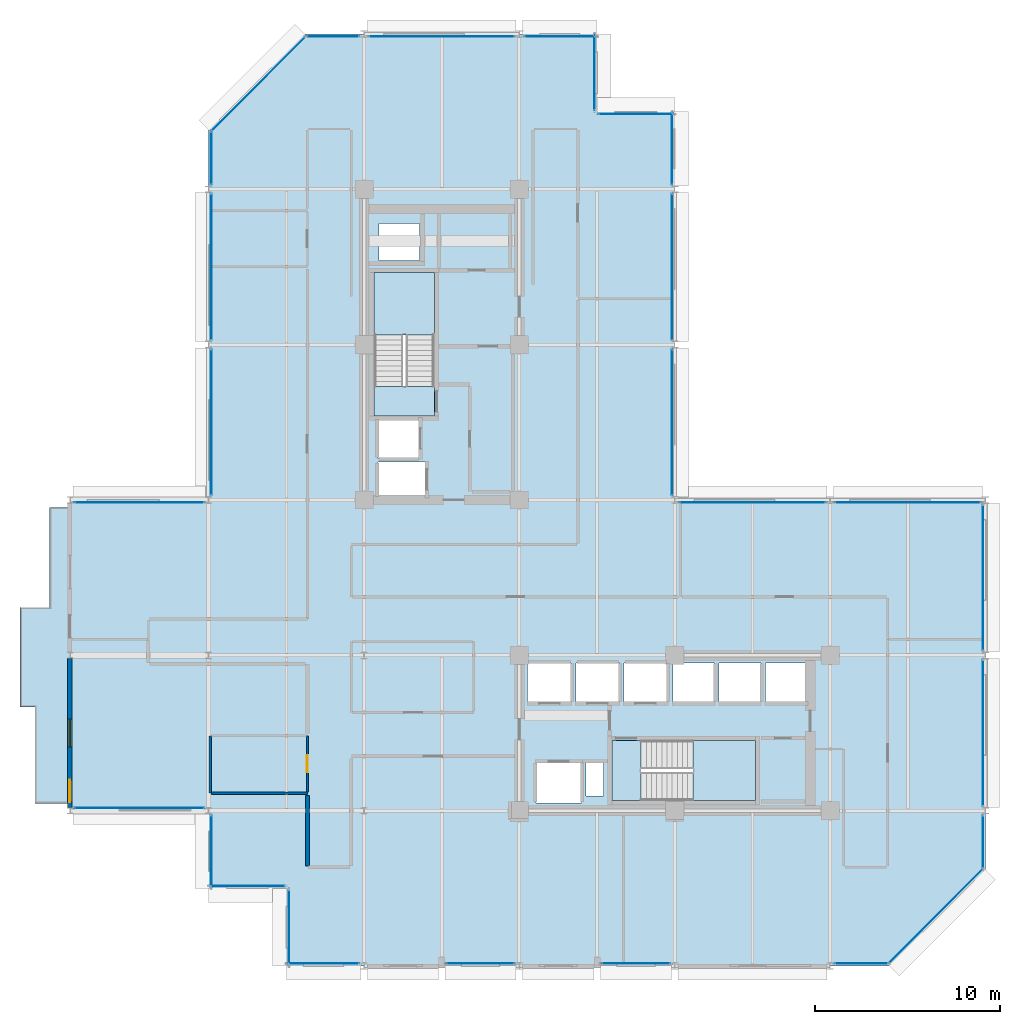
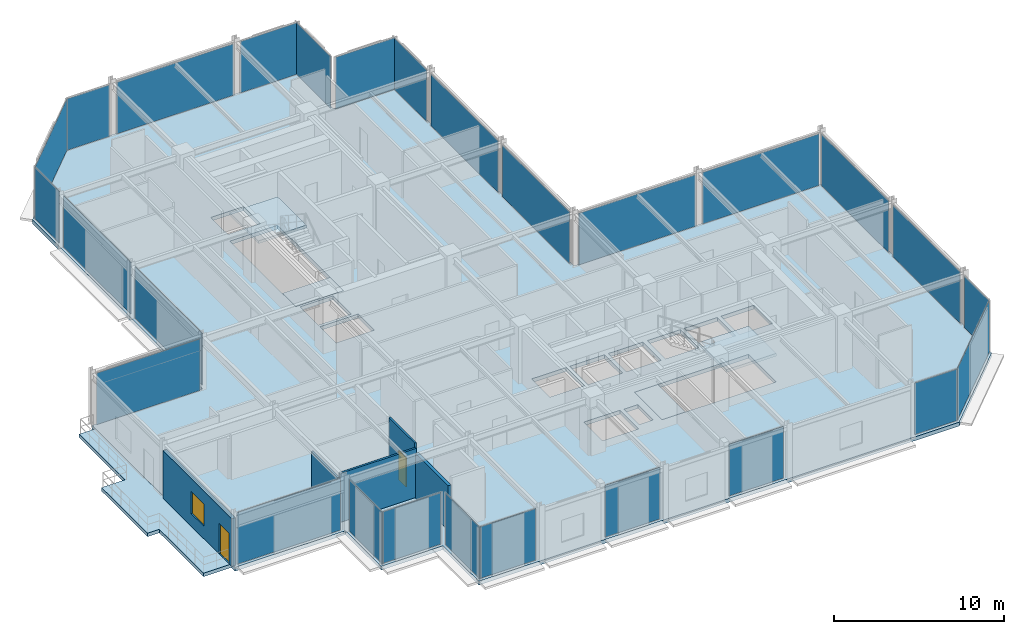
# One storey, part 23 of 29: 27 plates, 6 slabs, 5 walls, 2 doors, 1 window, 3 openings, 29 elements without a shape of their own.
"""IFC4 building model written with IfcOpenShell, lengths in metres."""

from ifc_helpers import new_model, si_unit, direction, frame, frame_2d, origin, origin_2d, place, context, subcontext, project, spatial, polyline, rectangle, outline, extrude, material, layer, layer_set, type_object, element, fill, aggregate, save


model = new_model("IFC4")

# Units and contexts
model_context = context("Model", 3, precision=1e-05, world=origin(), true_north=direction((0.0, 1.0)))
body_context = subcontext(model_context, "Body", "Model", "MODEL_VIEW")
ifc_project = project(units=[si_unit("LENGTHUNIT", "METRE"), si_unit("AREAUNIT", "SQUARE_METRE"), si_unit("VOLUMEUNIT", "CUBIC_METRE"), si_unit("PLANEANGLEUNIT", "RADIAN"), si_unit("MASSUNIT", "GRAM", prefix="KILO")], contexts=[model_context])

# Site, building, storey
site_placement = place(None, origin())
site = spatial("IfcSite", under=ifc_project, at=site_placement, CompositionType="ELEMENT")
building_placement = place(site_placement, origin())
building = spatial("IfcBuilding", under=site, at=building_placement, Name="Nerrivon Quay Data Exchange", CompositionType="ELEMENT")
storey_placement = place(building_placement, frame((0.0, 0.0, 204.199951171875)))
storey = spatial("IfcBuildingStorey", under=building, at=storey_placement, Name="L48", CompositionType="ELEMENT", Elevation=204.199951171875)

# Curtain wall, plate
ifc_material_1 = material(Name="Anodised aluminium 6063-T6", Category="aluminium")
ifc_layer_1 = layer(ifc_material_1, 0.199951171875)
ifc_layer_set_1 = layer_set([ifc_layer_1], Name="Anodised aluminium 6063-T6")
curtain_wall_type_1 = type_object("IfcCurtainWallType", Name="CW-SYS-04", PredefinedType="NOTDEFINED", material=ifc_layer_set_1)
curtain_wall_1_placement = place(storey_placement, origin())
curtain_wall_1 = element("IfcCurtainWall", 1, at=curtain_wall_1_placement, inside=storey, type_object=curtain_wall_type_1, Name="L48 Unitised Curtain Wall 3", PredefinedType="NOTDEFINED")
ifc_material_2 = material(Name="Double-glazed low-E solar control glass", Category="glass")
ifc_layer_2 = layer(ifc_material_2, 0.028076171875)
ifc_layer_set_2 = layer_set([ifc_layer_2], Name="Double-glazed low-E solar control glass")
plate_type = type_object("IfcPlateType", Name="CWP-GLZ-28", PredefinedType="CURTAIN_PANEL", material=ifc_layer_set_2)
plate_1_placement = place(storey_placement, frame((-3.759765625, 25.06005859375, 0.06494140625), z_axis=(0.0, 0.0, 1.0), x_axis=(1.0, 0.0, 0.0)))
plate_1 = element("IfcPlate", 2, at=plate_1_placement, type_object=plate_type, Name="CW04 panel 1.1", PredefinedType="CURTAIN_PANEL", context=body_context, shape_type="SweptSolid", body=[
    extrude(rectangle(XDim=7.01953125, YDim=0.028076171875, at=origin_2d()), origin(), (0.0, 0.0, 1.0), 3.695068359375),
])
aggregate(curtain_wall_1, [plate_1])

ifc_layer_3 = layer(ifc_material_1, 0.195068359375)
ifc_layer_set_3 = layer_set([ifc_layer_3], Name="Anodised aluminium 6063-T6")
curtain_wall_type_2 = type_object("IfcCurtainWallType", Name="CW-SYS-06", PredefinedType="NOTDEFINED", material=ifc_layer_set_3)
curtain_wall_2_placement = place(storey_placement, origin())
curtain_wall_2 = element("IfcCurtainWall", 3, at=curtain_wall_2_placement, inside=storey, type_object=curtain_wall_type_2, Name="L48 Unitised Curtain Wall 4", PredefinedType="NOTDEFINED")
plate_2_placement = place(storey_placement, frame((0.139892578125, 29.39990234375, 0.06494140625), z_axis=(0.0, 0.0, 1.0), x_axis=(0.0, 1.0, 0.0)))
plate_2 = element("IfcPlate", 4, at=plate_2_placement, type_object=plate_type, Name="CW06 panel 1.1", PredefinedType="CURTAIN_PANEL", context=body_context, shape_type="SweptSolid", body=[
    extrude(rectangle(XDim=7.89990234375, YDim=0.028076171875, at=origin_2d()), origin(), (0.0, 0.0, 1.0), 3.695068359375),
])
aggregate(curtain_wall_2, [plate_2])

curtain_wall_3_placement = place(storey_placement, origin())
curtain_wall_3 = element("IfcCurtainWall", 5, at=curtain_wall_3_placement, inside=storey, type_object=curtain_wall_type_2, Name="L48 Unitised Curtain Wall 5", PredefinedType="NOTDEFINED")
plate_3_placement = place(storey_placement, frame((0.139892578125, 37.800048828125, 0.06494140625), z_axis=(0.0, 0.0, 1.0), x_axis=(0.0, 1.0, 0.0)))
plate_3 = element("IfcPlate", 6, at=plate_3_placement, type_object=plate_type, Name="CW06 panel 1.1", PredefinedType="CURTAIN_PANEL", context=body_context, shape_type="SweptSolid", body=[
    extrude(rectangle(XDim=7.89990234375, YDim=0.028076171875, at=origin_2d()), origin(), (0.0, 0.0, 1.0), 3.695068359375),
])
aggregate(curtain_wall_3, [plate_3])

curtain_wall_4_placement = place(storey_placement, origin())
curtain_wall_4 = element("IfcCurtainWall", 7, at=curtain_wall_4_placement, inside=storey, type_object=curtain_wall_type_2, Name="L48 Unitised Curtain Wall 6", PredefinedType="NOTDEFINED")
plate_4_placement = place(storey_placement, frame((0.139892578125, 43.6875, 0.06494140625), z_axis=(0.0, 0.0, 1.0), x_axis=(0.0, 1.0, 0.0)))
plate_4 = element("IfcPlate", 8, at=plate_4_placement, type_object=plate_type, Name="CW06 panel 1.1", PredefinedType="CURTAIN_PANEL", context=body_context, shape_type="SweptSolid", body=[
    extrude(rectangle(XDim=2.875, YDim=0.028076171875, at=origin_2d()), origin(), (0.0, 0.0, 1.0), 3.695068359375),
])
aggregate(curtain_wall_4, [plate_4])

curtain_wall_5_placement = place(storey_placement, origin())
curtain_wall_5 = element("IfcCurtainWall", 9, at=curtain_wall_5_placement, inside=storey, type_object=curtain_wall_type_2, Name="L48 Unitised Curtain Wall 7", PredefinedType="NOTDEFINED")
plate_5_placement = place(storey_placement, frame((2.698974609375, 47.700927734375, 0.06494140625), z_axis=(0.0, 0.0, 1.0), x_axis=(0.707106781187, 0.707106781187, 0.0)))
plate_5 = element("IfcPlate", 10, at=plate_5_placement, type_object=plate_type, Name="CW06 panel 1.1", PredefinedType="CURTAIN_PANEL", context=body_context, shape_type="SweptSolid", body=[
    extrude(rectangle(XDim=7.203857421875, YDim=0.028076171875, at=origin_2d()), origin(), (0.0, 0.0, 1.0), 3.695068359375),
])
aggregate(curtain_wall_5, [plate_5])

curtain_wall_6_placement = place(storey_placement, origin())
curtain_wall_6 = element("IfcCurtainWall", 11, at=curtain_wall_6_placement, inside=storey, type_object=curtain_wall_type_2, Name="L48 Unitised Curtain Wall 8", PredefinedType="NOTDEFINED")
plate_6_placement = place(storey_placement, frame((6.71240234375, 50.260009765625, 0.06494140625), z_axis=(0.0, 0.0, 1.0), x_axis=(1.0, 0.0, 0.0)))
plate_6 = element("IfcPlate", 12, at=plate_6_placement, type_object=plate_type, Name="CW06 panel 1.1", PredefinedType="CURTAIN_PANEL", context=body_context, shape_type="SweptSolid", body=[
    extrude(rectangle(XDim=2.875, YDim=0.028076171875, at=origin_2d()), origin(), (0.0, 0.0, 1.0), 3.695068359375),
])
aggregate(curtain_wall_6, [plate_6])

curtain_wall_7_placement = place(storey_placement, origin())
curtain_wall_7 = element("IfcCurtainWall", 13, at=curtain_wall_7_placement, inside=storey, type_object=curtain_wall_type_2, Name="L48 Unitised Curtain Wall 9", PredefinedType="NOTDEFINED")
plate_7_placement = place(storey_placement, frame((12.60009765625, 50.260009765625, 0.06494140625), z_axis=(0.0, 0.0, 1.0), x_axis=(1.0, 0.0, 0.0)))
plate_7 = element("IfcPlate", 14, at=plate_7_placement, type_object=plate_type, Name="CW06 panel 1.1", PredefinedType="CURTAIN_PANEL", context=body_context, shape_type="SweptSolid", body=[
    extrude(rectangle(XDim=7.89990234375, YDim=0.028076171875, at=origin_2d()), origin(), (0.0, 0.0, 1.0), 3.695068359375),
])
aggregate(curtain_wall_7, [plate_7])

curtain_wall_8_placement = place(storey_placement, origin())
curtain_wall_8 = element("IfcCurtainWall", 15, at=curtain_wall_8_placement, inside=storey, type_object=curtain_wall_type_2, Name="L48 Unitised Curtain Wall 10", PredefinedType="NOTDEFINED")
plate_8_placement = place(storey_placement, frame((18.987548828125, 50.260009765625, 0.06494140625), z_axis=(0.0, 0.0, 1.0), x_axis=(1.0, 0.0, 0.0)))
plate_8 = element("IfcPlate", 16, at=plate_8_placement, type_object=plate_type, Name="CW06 panel 1.1", PredefinedType="CURTAIN_PANEL", context=body_context, shape_type="SweptSolid", body=[
    extrude(rectangle(XDim=3.875, YDim=0.028076171875, at=origin_2d()), origin(), (0.0, 0.0, 1.0), 3.695068359375),
])
aggregate(curtain_wall_8, [plate_8])

curtain_wall_9_placement = place(storey_placement, origin())
curtain_wall_9 = element("IfcCurtainWall", 17, at=curtain_wall_9_placement, inside=storey, type_object=curtain_wall_type_2, Name="L48 Unitised Curtain Wall 11", PredefinedType="NOTDEFINED")
plate_9_placement = place(storey_placement, frame((20.860107421875, 48.300048828125, 0.06494140625), z_axis=(0.0, 0.0, 1.0), x_axis=(0.0, -1.0, 0.0)))
plate_9 = element("IfcPlate", 18, at=plate_9_placement, type_object=plate_type, Name="CW06 panel 1.1", PredefinedType="CURTAIN_PANEL", context=body_context, shape_type="SweptSolid", body=[
    extrude(rectangle(XDim=4.050048828125, YDim=0.028076171875, at=origin_2d()), origin(), (0.0, 0.0, 1.0), 3.695068359375),
])
aggregate(curtain_wall_9, [plate_9])

curtain_wall_10_placement = place(storey_placement, origin())
curtain_wall_10 = element("IfcCurtainWall", 19, at=curtain_wall_10_placement, inside=storey, type_object=curtain_wall_type_2, Name="L48 Unitised Curtain Wall 12", PredefinedType="NOTDEFINED")
plate_10_placement = place(storey_placement, frame((23.10009765625, 46.06005859375, 0.06494140625), z_axis=(0.0, 0.0, 1.0), x_axis=(1.0, 0.0, 0.0)))
plate_10 = element("IfcPlate", 20, at=plate_10_placement, type_object=plate_type, Name="CW06 panel 1.1", PredefinedType="CURTAIN_PANEL", context=body_context, shape_type="SweptSolid", body=[
    extrude(rectangle(XDim=4.050048828125, YDim=0.028076171875, at=origin_2d()), origin(), (0.0, 0.0, 1.0), 3.695068359375),
])
aggregate(curtain_wall_10, [plate_10])

curtain_wall_11_placement = place(storey_placement, origin())
curtain_wall_11 = element("IfcCurtainWall", 21, at=curtain_wall_11_placement, inside=storey, type_object=curtain_wall_type_2, Name="L48 Unitised Curtain Wall 13", PredefinedType="NOTDEFINED")
plate_11_placement = place(storey_placement, frame((25.06005859375, 44.1875, 0.06494140625), z_axis=(0.0, 0.0, 1.0), x_axis=(0.0, -1.0, 0.0)))
plate_11 = element("IfcPlate", 22, at=plate_11_placement, type_object=plate_type, Name="CW06 panel 1.1", PredefinedType="CURTAIN_PANEL", context=body_context, shape_type="SweptSolid", body=[
    extrude(rectangle(XDim=3.875, YDim=0.028076171875, at=origin_2d()), origin(), (0.0, 0.0, 1.0), 3.695068359375),
])
aggregate(curtain_wall_11, [plate_11])

curtain_wall_12_placement = place(storey_placement, origin())
curtain_wall_12 = element("IfcCurtainWall", 23, at=curtain_wall_12_placement, inside=storey, type_object=curtain_wall_type_2, Name="L48 Unitised Curtain Wall 14", PredefinedType="NOTDEFINED")
plate_12_placement = place(storey_placement, frame((25.06005859375, 37.800048828125, 0.06494140625), z_axis=(0.0, 0.0, 1.0), x_axis=(0.0, -1.0, 0.0)))
plate_12 = element("IfcPlate", 24, at=plate_12_placement, type_object=plate_type, Name="CW06 panel 1.1", PredefinedType="CURTAIN_PANEL", context=body_context, shape_type="SweptSolid", body=[
    extrude(rectangle(XDim=7.89990234375, YDim=0.028076171875, at=origin_2d()), origin(), (0.0, 0.0, 1.0), 3.695068359375),
])
aggregate(curtain_wall_12, [plate_12])

curtain_wall_13_placement = place(storey_placement, origin())
curtain_wall_13 = element("IfcCurtainWall", 25, at=curtain_wall_13_placement, inside=storey, type_object=curtain_wall_type_2, Name="L48 Unitised Curtain Wall 15", PredefinedType="NOTDEFINED")
plate_13_placement = place(storey_placement, frame((25.06005859375, 29.39990234375, 0.06494140625), z_axis=(0.0, 0.0, 1.0), x_axis=(0.0, -1.0, 0.0)))
plate_13 = element("IfcPlate", 26, at=plate_13_placement, type_object=plate_type, Name="CW06 panel 1.1", PredefinedType="CURTAIN_PANEL", context=body_context, shape_type="SweptSolid", body=[
    extrude(rectangle(XDim=7.89990234375, YDim=0.028076171875, at=origin_2d()), origin(), (0.0, 0.0, 1.0), 3.695068359375),
])
aggregate(curtain_wall_13, [plate_13])

curtain_wall_14_placement = place(storey_placement, origin())
curtain_wall_14 = element("IfcCurtainWall", 27, at=curtain_wall_14_placement, inside=storey, type_object=curtain_wall_type_2, Name="L48 Unitised Curtain Wall 16", PredefinedType="NOTDEFINED")
plate_14_placement = place(storey_placement, frame((29.39990234375, 25.06005859375, 0.06494140625), z_axis=(0.0, 0.0, 1.0), x_axis=(1.0, 0.0, 0.0)))
plate_14 = element("IfcPlate", 28, at=plate_14_placement, type_object=plate_type, Name="CW06 panel 1.1", PredefinedType="CURTAIN_PANEL", context=body_context, shape_type="SweptSolid", body=[
    extrude(rectangle(XDim=7.89990234375, YDim=0.028076171875, at=origin_2d()), origin(), (0.0, 0.0, 1.0), 3.695068359375),
])
aggregate(curtain_wall_14, [plate_14])

curtain_wall_15_placement = place(storey_placement, origin())
curtain_wall_15 = element("IfcCurtainWall", 29, at=curtain_wall_15_placement, inside=storey, type_object=curtain_wall_type_2, Name="L48 Unitised Curtain Wall 17", PredefinedType="NOTDEFINED")
plate_15_placement = place(storey_placement, frame((37.800048828125, 25.06005859375, 0.06494140625), z_axis=(0.0, 0.0, 1.0), x_axis=(1.0, 0.0, 0.0)))
plate_15 = element("IfcPlate", 30, at=plate_15_placement, type_object=plate_type, Name="CW06 panel 1.1", PredefinedType="CURTAIN_PANEL", context=body_context, shape_type="SweptSolid", body=[
    extrude(rectangle(XDim=7.89990234375, YDim=0.028076171875, at=origin_2d()), origin(), (0.0, 0.0, 1.0), 3.695068359375),
])
aggregate(curtain_wall_15, [plate_15])

curtain_wall_16_placement = place(storey_placement, origin())
curtain_wall_16 = element("IfcCurtainWall", 31, at=curtain_wall_16_placement, inside=storey, type_object=curtain_wall_type_2, Name="L48 Unitised Curtain Wall 18", PredefinedType="NOTDEFINED")
plate_16_placement = place(storey_placement, frame((41.860107421875, 21.0, 0.06494140625), z_axis=(0.0, 0.0, 1.0), x_axis=(0.0, -1.0, 0.0)))
plate_16 = element("IfcPlate", 32, at=plate_16_placement, type_object=plate_type, Name="CW06 panel 1.1", PredefinedType="CURTAIN_PANEL", context=body_context, shape_type="SweptSolid", body=[
    extrude(rectangle(XDim=7.89990234375, YDim=0.028076171875, at=origin_2d()), origin(), (0.0, 0.0, 1.0), 3.695068359375),
])
aggregate(curtain_wall_16, [plate_16])

curtain_wall_17_placement = place(storey_placement, origin())
curtain_wall_17 = element("IfcCurtainWall", 33, at=curtain_wall_17_placement, inside=storey, type_object=curtain_wall_type_2, Name="L48 Unitised Curtain Wall 19", PredefinedType="NOTDEFINED")
plate_17_placement = place(storey_placement, frame((41.860107421875, 12.60009765625, 0.06494140625), z_axis=(0.0, 0.0, 1.0), x_axis=(0.0, -1.0, 0.0)))
plate_17 = element("IfcPlate", 34, at=plate_17_placement, type_object=plate_type, Name="CW06 panel 1.1", PredefinedType="CURTAIN_PANEL", context=body_context, shape_type="SweptSolid", body=[
    extrude(rectangle(XDim=7.89990234375, YDim=0.028076171875, at=origin_2d()), origin(), (0.0, 0.0, 1.0), 3.695068359375),
])
aggregate(curtain_wall_17, [plate_17])

curtain_wall_18_placement = place(storey_placement, origin())
curtain_wall_18 = element("IfcCurtainWall", 35, at=curtain_wall_18_placement, inside=storey, type_object=curtain_wall_type_2, Name="L48 Unitised Curtain Wall 20", PredefinedType="NOTDEFINED")
plate_18_placement = place(storey_placement, frame((41.860107421875, 6.71240234375, 0.06494140625), z_axis=(0.0, 0.0, 1.0), x_axis=(0.0, -1.0, 0.0)))
plate_18 = element("IfcPlate", 36, at=plate_18_placement, type_object=plate_type, Name="CW06 panel 1.1", PredefinedType="CURTAIN_PANEL", context=body_context, shape_type="SweptSolid", body=[
    extrude(rectangle(XDim=2.875, YDim=0.028076171875, at=origin_2d()), origin(), (0.0, 0.0, 1.0), 3.695068359375),
])
aggregate(curtain_wall_18, [plate_18])

curtain_wall_19_placement = place(storey_placement, origin())
curtain_wall_19 = element("IfcCurtainWall", 37, at=curtain_wall_19_placement, inside=storey, type_object=curtain_wall_type_2, Name="L48 Unitised Curtain Wall 21", PredefinedType="NOTDEFINED")
plate_19_placement = place(storey_placement, frame((39.301025390625, 2.698974609375, 0.06494140625), z_axis=(0.0, 0.0, 1.0), x_axis=(-0.707106781187, -0.707106781187, 0.0)))
plate_19 = element("IfcPlate", 38, at=plate_19_placement, type_object=plate_type, Name="CW06 panel 1.1", PredefinedType="CURTAIN_PANEL", context=body_context, shape_type="SweptSolid", body=[
    extrude(rectangle(XDim=7.203857421875, YDim=0.028076171875, at=origin_2d()), origin(), (0.0, 0.0, 1.0), 3.695068359375),
])
aggregate(curtain_wall_19, [plate_19])

curtain_wall_20_placement = place(storey_placement, origin())
curtain_wall_20 = element("IfcCurtainWall", 39, at=curtain_wall_20_placement, inside=storey, type_object=curtain_wall_type_2, Name="L48 Unitised Curtain Wall 22", PredefinedType="NOTDEFINED")
plate_20_placement = place(storey_placement, frame((35.28759765625, 0.139892578125, 0.06494140625), z_axis=(0.0, 0.0, 1.0), x_axis=(-1.0, 0.0, 0.0)))
plate_20 = element("IfcPlate", 40, at=plate_20_placement, type_object=plate_type, Name="CW06 panel 1.1", PredefinedType="CURTAIN_PANEL", context=body_context, shape_type="SweptSolid", body=[
    extrude(rectangle(XDim=2.875, YDim=0.028076171875, at=origin_2d()), origin(), (0.0, 0.0, 1.0), 3.695068359375),
])
aggregate(curtain_wall_20, [plate_20])

curtain_wall_21_placement = place(storey_placement, origin())
curtain_wall_21 = element("IfcCurtainWall", 41, at=curtain_wall_21_placement, inside=storey, type_object=curtain_wall_type_2, Name="L48 Unitised Curtain Wall 24", PredefinedType="NOTDEFINED")
plate_21_placement = place(storey_placement, frame((23.10009765625, 0.139892578125, 0.06494140625), z_axis=(0.0, 0.0, 1.0), x_axis=(-1.0, 0.0, 0.0)))
plate_21 = element("IfcPlate", 42, at=plate_21_placement, type_object=plate_type, Name="CW06 panel 1.1", PredefinedType="CURTAIN_PANEL", context=body_context, shape_type="SweptSolid", body=[
    extrude(rectangle(XDim=3.699951171875, YDim=0.028076171875, at=origin_2d()), origin(), (0.0, 0.0, 1.0), 3.695068359375),
])
aggregate(curtain_wall_21, [plate_21])

curtain_wall_22_placement = place(storey_placement, origin())
curtain_wall_22 = element("IfcCurtainWall", 43, at=curtain_wall_22_placement, inside=storey, type_object=curtain_wall_type_2, Name="L48 Unitised Curtain Wall 26", PredefinedType="NOTDEFINED")
plate_22_placement = place(storey_placement, frame((14.699951171875, 0.139892578125, 0.06494140625), z_axis=(0.0, 0.0, 1.0), x_axis=(-1.0, 0.0, 0.0)))
plate_22 = element("IfcPlate", 44, at=plate_22_placement, type_object=plate_type, Name="CW06 panel 1.1", PredefinedType="CURTAIN_PANEL", context=body_context, shape_type="SweptSolid", body=[
    extrude(rectangle(XDim=3.699951171875, YDim=0.028076171875, at=origin_2d()), origin(), (0.0, 0.0, 1.0), 3.695068359375),
])
aggregate(curtain_wall_22, [plate_22])

curtain_wall_23_placement = place(storey_placement, origin())
curtain_wall_23 = element("IfcCurtainWall", 45, at=curtain_wall_23_placement, inside=storey, type_object=curtain_wall_type_2, Name="L48 Unitised Curtain Wall 28", PredefinedType="NOTDEFINED")
plate_23_placement = place(storey_placement, frame((6.21240234375, 0.139892578125, 0.06494140625), z_axis=(0.0, 0.0, 1.0), x_axis=(-1.0, 0.0, 0.0)))
plate_23 = element("IfcPlate", 46, at=plate_23_placement, type_object=plate_type, Name="CW06 panel 1.1", PredefinedType="CURTAIN_PANEL", context=body_context, shape_type="SweptSolid", body=[
    extrude(rectangle(XDim=3.875, YDim=0.028076171875, at=origin_2d()), origin(), (0.0, 0.0, 1.0), 3.695068359375),
])
aggregate(curtain_wall_23, [plate_23])

curtain_wall_24_placement = place(storey_placement, origin())
curtain_wall_24 = element("IfcCurtainWall", 47, at=curtain_wall_24_placement, inside=storey, type_object=curtain_wall_type_2, Name="L48 Unitised Curtain Wall 29", PredefinedType="NOTDEFINED")
plate_24_placement = place(storey_placement, frame((4.340087890625, 2.10009765625, 0.06494140625), z_axis=(0.0, 0.0, 1.0), x_axis=(0.0, 1.0, 0.0)))
plate_24 = element("IfcPlate", 48, at=plate_24_placement, type_object=plate_type, Name="CW06 panel 1.1", PredefinedType="CURTAIN_PANEL", context=body_context, shape_type="SweptSolid", body=[
    extrude(rectangle(XDim=4.050048828125, YDim=0.028076171875, at=origin_2d()), origin(), (0.0, 0.0, 1.0), 3.695068359375),
])
aggregate(curtain_wall_24, [plate_24])

curtain_wall_25_placement = place(storey_placement, origin())
curtain_wall_25 = element("IfcCurtainWall", 49, at=curtain_wall_25_placement, inside=storey, type_object=curtain_wall_type_2, Name="L48 Unitised Curtain Wall 30", PredefinedType="NOTDEFINED")
plate_25_placement = place(storey_placement, frame((2.10009765625, 4.340087890625, 0.06494140625), z_axis=(0.0, 0.0, 1.0), x_axis=(-1.0, 0.0, 0.0)))
plate_25 = element("IfcPlate", 50, at=plate_25_placement, type_object=plate_type, Name="CW06 panel 1.1", PredefinedType="CURTAIN_PANEL", context=body_context, shape_type="SweptSolid", body=[
    extrude(rectangle(XDim=4.050048828125, YDim=0.028076171875, at=origin_2d()), origin(), (0.0, 0.0, 1.0), 3.695068359375),
])
aggregate(curtain_wall_25, [plate_25])

curtain_wall_26_placement = place(storey_placement, origin())
curtain_wall_26 = element("IfcCurtainWall", 51, at=curtain_wall_26_placement, inside=storey, type_object=curtain_wall_type_2, Name="L48 Unitised Curtain Wall 31", PredefinedType="NOTDEFINED")
plate_26_placement = place(storey_placement, frame((0.139892578125, 6.21240234375, 0.06494140625), z_axis=(0.0, 0.0, 1.0), x_axis=(0.0, 1.0, 0.0)))
plate_26 = element("IfcPlate", 52, at=plate_26_placement, type_object=plate_type, Name="CW06 panel 1.1", PredefinedType="CURTAIN_PANEL", context=body_context, shape_type="SweptSolid", body=[
    extrude(rectangle(XDim=3.875, YDim=0.028076171875, at=origin_2d()), origin(), (0.0, 0.0, 1.0), 3.695068359375),
])
aggregate(curtain_wall_26, [plate_26])

curtain_wall_27_placement = place(storey_placement, origin())
curtain_wall_27 = element("IfcCurtainWall", 53, at=curtain_wall_27_placement, inside=storey, type_object=curtain_wall_type_1, Name="L48 Unitised Curtain Wall 32", PredefinedType="NOTDEFINED")
plate_27_placement = place(storey_placement, frame((-3.759765625, 8.5400390625, 0.06494140625), z_axis=(0.0, 0.0, 1.0), x_axis=(-1.0, 0.0, 0.0)))
plate_27 = element("IfcPlate", 54, at=plate_27_placement, type_object=plate_type, Name="CW04 panel 1.1", PredefinedType="CURTAIN_PANEL", context=body_context, shape_type="SweptSolid", body=[
    extrude(rectangle(XDim=7.01953125, YDim=0.028076171875, at=origin_2d()), origin(), (0.0, 0.0, 1.0), 3.695068359375),
])
aggregate(curtain_wall_27, [plate_27])

# Slab
ifc_material_3 = material(Name="Precast white architectural concrete N50 (50 MPa)", Category="concrete")
ifc_layer_4 = layer(ifc_material_3, 0.25)
ifc_layer_set_4 = layer_set([ifc_layer_4], Name="Precast white architectural concrete N50 (50 MPa)")
slab_type_1 = type_object("IfcSlabType", Name="SLB-BAL-250", PredefinedType="FLOOR", material=ifc_layer_set_4)
slab_1_placement = place(storey_placement, frame((0.0, 0.0, -0.25)))
element("IfcSlab", 55, at=slab_1_placement, inside=storey, type_object=slab_type_1, Name="L48 West Hooked Drifting Verandah", PredefinedType="FLOOR", context=body_context, shape_type="SweptSolid", body=[
    extrude(outline(polyline([(-7.5, 14.0), (-7.5, 19.39990234375), (-7.5, 24.800048828125), (-8.60009765625, 24.800048828125), (-8.60009765625, 19.39990234375), (-10.199951171875, 19.39990234375), (-10.199951171875, 14.0), (-9.39990234375, 14.0), (-9.39990234375, 8.800048828125), (-7.5, 8.800048828125), (-7.5, 14.0)])), origin(), (0.0, 0.0, 1.0), 0.25),
])

# Stair, slab
ifc_material_4 = material(Name="Concrete N50 (50 MPa)", Category="concrete")
stair_type = type_object("IfcStairType", Name="STAIR-DOG-41", PredefinedType="HALF_TURN_STAIR", material=ifc_material_4)
stair_1_placement = place(storey_placement, origin())
stair_1 = element("IfcStair", 56, at=stair_1_placement, inside=storey, type_object=stair_type, Name="L48 West Core Fire Stair ST01", PredefinedType="HALF_TURN_STAIR")
ifc_layer_5 = layer(ifc_material_4, 0.199951171875)
ifc_layer_set_5 = layer_set([ifc_layer_5], Name="Concrete N50 (50 MPa)")
slab_type_2 = type_object("IfcSlabType", Name="SLB-LAND-200", PredefinedType="LANDING", material=ifc_layer_set_5)
slab_2_placement = place(storey_placement, frame((0.0, 0.0, 1.85009765625)))
slab_2 = element("IfcSlab", 57, at=slab_2_placement, type_object=slab_type_2, Name="ST01 landing 1", PredefinedType="LANDING", context=body_context, shape_type="SweptSolid", body=[
    extrude(outline(polyline([(12.199951171875, 34.1298828125), (12.199951171875, 37.5), (8.949951171875, 37.5), (8.949951171875, 34.1298828125), (12.199951171875, 34.1298828125)])), origin(), (0.0, 0.0, 1.0), 0.199951171875),
])
aggregate(stair_1, [slab_2])

# Slab
slab_3_placement = place(storey_placement, frame((0.0, 0.0, -0.199951171875)))
element("IfcSlab", 58, at=slab_3_placement, inside=storey, type_object=slab_type_2, Name="L48 ST01 floor landing", PredefinedType="LANDING", context=body_context, shape_type="SweptSolid", body=[
    extrude(outline(polyline([(12.199951171875, 29.75), (12.199951171875, 31.330078125), (8.949951171875, 31.330078125), (8.949951171875, 29.75), (12.199951171875, 29.75)])), origin(), (0.0, 0.0, 1.0), 0.199951171875),
])

# Stair, slab
stair_2_placement = place(storey_placement, origin())
stair_2 = element("IfcStair", 59, at=stair_2_placement, inside=storey, type_object=stair_type, Name="L48 East Core Fire Stair ST02", PredefinedType="HALF_TURN_STAIR")
slab_4_placement = place(storey_placement, frame((0.0, 0.0, 1.85009765625)))
slab_4 = element("IfcSlab", 60, at=slab_4_placement, type_object=slab_type_2, Name="ST02 landing 1", PredefinedType="LANDING", context=body_context, shape_type="SweptSolid", body=[
    extrude(outline(polyline([(26.179931640625, 8.949951171875), (29.550048828125, 8.949951171875), (29.550048828125, 12.199951171875), (26.179931640625, 12.199951171875), (26.179931640625, 8.949951171875)])), origin(), (0.0, 0.0, 1.0), 0.199951171875),
])
aggregate(stair_2, [slab_4])

# Slabs
slab_5_placement = place(storey_placement, frame((0.0, 0.0, -0.199951171875)))
element("IfcSlab", 61, at=slab_5_placement, inside=storey, type_object=slab_type_2, Name="L48 ST02 floor landing", PredefinedType="LANDING", context=body_context, shape_type="SweptSolid", body=[
    extrude(outline(polyline([(21.800048828125, 8.949951171875), (23.3798828125, 8.949951171875), (23.3798828125, 12.199951171875), (21.800048828125, 12.199951171875), (21.800048828125, 8.949951171875)])), origin(), (0.0, 0.0, 1.0), 0.199951171875),
])
ifc_layer_6 = layer(ifc_material_4, 0.27490234375)
ifc_layer_set_6 = layer_set([ifc_layer_6], Name="Concrete N50 (50 MPa)")
slab_type_3 = type_object("IfcSlabType", Name="SLB-TOW-275", PredefinedType="FLOOR", material=ifc_layer_set_6)
slab_6_placement = place(storey_placement, frame((0.0, 0.0, -0.27490234375)))
element("IfcSlab", 62, at=slab_6_placement, inside=storey, type_object=slab_type_3, Name="L48 Primary Structural Slab", PredefinedType="FLOOR", context=body_context, shape_type="SweptSolid", body=[
    extrude(outline(polyline([(0.0, 8.39990234375), (0.0, 4.199951171875), (4.199951171875, 4.199951171875), (4.199951171875, 0.0), (36.800048828125, 0.0), (42.0, 5.199951171875), (42.0, 25.199951171875), (25.199951171875, 25.199951171875), (25.199951171875, 46.199951171875), (21.0, 46.199951171875), (21.0, 50.39990234375), (5.199951171875, 50.39990234375), (0.0, 45.199951171875), (0.0, 25.199951171875), (-7.5, 25.199951171875), (-7.5, 8.39990234375), (0.0, 8.39990234375)]), holes=[polyline([(8.949951171875, 29.75), (8.949951171875, 37.5), (12.199951171875, 37.5), (12.199951171875, 29.75), (8.949951171875, 29.75)]), polyline([(21.800048828125, 12.199951171875), (29.550048828125, 12.199951171875), (29.550048828125, 8.949951171875), (21.800048828125, 8.949951171875), (21.800048828125, 12.199951171875)]), polyline([(30.10009765625, 16.39990234375), (32.35009765625, 16.39990234375), (32.35009765625, 14.25), (30.10009765625, 14.25), (30.10009765625, 16.39990234375)]), polyline([(27.60009765625, 16.39990234375), (29.85009765625, 16.39990234375), (29.85009765625, 14.25), (27.60009765625, 14.25), (27.60009765625, 16.39990234375)]), polyline([(25.10009765625, 14.25), (25.10009765625, 16.39990234375), (27.35009765625, 16.39990234375), (27.35009765625, 14.25), (25.10009765625, 14.25)]), polyline([(22.449951171875, 16.39990234375), (24.800048828125, 16.39990234375), (24.800048828125, 14.25), (22.449951171875, 14.25), (22.449951171875, 16.39990234375)]), polyline([(19.85009765625, 16.39990234375), (22.199951171875, 16.39990234375), (22.199951171875, 14.25), (19.85009765625, 14.25), (19.85009765625, 16.39990234375)]), polyline([(20.39990234375, 9.199951171875), (20.39990234375, 11.0), (21.35009765625, 11.0), (21.35009765625, 9.199951171875), (20.39990234375, 9.199951171875)]), polyline([(17.699951171875, 8.830078125), (17.699951171875, 11.030029296875), (20.14990234375, 11.030029296875), (20.14990234375, 8.830078125), (17.699951171875, 8.830078125)]), polyline([(17.25, 14.25), (17.25, 16.39990234375), (19.60009765625, 16.39990234375), (19.60009765625, 14.25), (17.25, 14.25)]), polyline([(9.14990234375, 27.25), (11.75, 27.25), (11.75, 25.35009765625), (9.14990234375, 25.35009765625), (9.14990234375, 27.25)]), polyline([(9.14990234375, 29.60009765625), (11.39990234375, 29.60009765625), (11.39990234375, 27.449951171875), (9.14990234375, 27.449951171875), (9.14990234375, 29.60009765625)]), polyline([(9.199951171875, 38.14990234375), (9.199951171875, 40.14990234375), (11.39990234375, 40.14990234375), (11.39990234375, 38.14990234375), (9.199951171875, 38.14990234375)])]), origin(), (0.0, 0.0, 1.0), 0.27490234375),
])

# Wall, openings, door, window
ifc_material_5 = material(Name="Architectural terracotta precast concrete N50 (50 MPa)", Category="masonry")
ifc_layer_7 = layer(ifc_material_5, 0.239990234375)
ifc_layer_set_7 = layer_set([ifc_layer_7], Name="Architectural terracotta precast concrete N50 (50 MPa)")
wall_type_1 = type_object("IfcWallType", Name="EW-PREC-240", PredefinedType="STANDARD", material=ifc_layer_set_7)
wall_1_placement = place(storey_placement, frame((-7.5, 8.5634765625, 0.0), z_axis=(0.0, 0.0, 1.0), x_axis=(0.0, 1.0, 0.0)))
wall_1 = element("IfcWall", 63, at=wall_1_placement, inside=storey, type_object=wall_type_1, Name="L48 Terrace Host Wall 1", PredefinedType="STANDARD", context=body_context, shape_type="SweptSolid", body=[
    extrude(rectangle(XDim=8.072998046875, YDim=0.239990234375, at=frame_2d((4.03662109375, 0.0))), origin(), (0.0, 0.0, 1.0), 3.422119140625),
])
opening_1_placement = place(wall_1_placement, frame((0.300048828125, 0.0, 0.0)))
opening_1 = element("IfcOpeningElement", 64, at=opening_1_placement, cuts=wall_1, Name="Opening TD1", PredefinedType="OPENING", context=body_context, shape_type="SweptSolid", body=[
    extrude(rectangle(XDim=1.199951171875, YDim=2.199951171875, at=frame_2d((0.60009765625, 1.10009765625))), frame((0.0, 0.1298828125, 0.0), z_axis=(0.0, -1.0, 0.0), x_axis=(1.0, 0.0, 0.0)), (0.0, 0.0, 1.0), 0.260009765625),
])
opening_2_placement = place(wall_1_placement, frame((3.28662109375, 0.0, 0.89990234375)))
opening_2 = element("IfcOpeningElement", 65, at=opening_2_placement, cuts=wall_1, Name="Opening WN4", PredefinedType="OPENING", context=body_context, shape_type="SweptSolid", body=[
    extrude(rectangle(XDim=1.5, YDim=1.60009765625, at=frame_2d((0.75, 0.800048828125))), frame((0.0, 0.1298828125, 0.0), z_axis=(0.0, -1.0, 0.0), x_axis=(1.0, 0.0, 0.0)), (0.0, 0.0, 1.0), 0.260009765625),
])
door_type_1 = type_object("IfcDoorType", Name="DR-TERR-1200x2200", OperationType="NOTDEFINED", PredefinedType="DOOR", material=ifc_material_2)
door_1_placement = place(opening_1_placement, origin())
door_1 = element("IfcDoor", 66, at=door_1_placement, inside=storey, type_object=door_type_1, Name="L48 Outdoor Terrace Access Door 1", OperationType="SINGLE_SWING_RIGHT", OverallHeight=2.199951171875, OverallWidth=1.199951171875, PredefinedType="DOOR", context=body_context, shape_type="SweptSolid", body=[
    extrude(rectangle(XDim=1.199951171875, YDim=2.199951171875, at=frame_2d((0.60009765625, 1.10009765625))), frame((0.0, 0.02490234375, 0.0), z_axis=(0.0, -1.0, 0.0), x_axis=(1.0, 0.0, 0.0)), (0.0, 0.0, 1.0), 0.050048828125),
])
fill(opening_1, door_1)
window_type = type_object("IfcWindowType", Name="WIN-W4-1500x1600", PartitioningType="SINGLE_PANEL", PredefinedType="WINDOW", material=ifc_material_2)
window_placement = place(opening_2_placement, origin())
window = element("IfcWindow", 67, at=window_placement, inside=storey, type_object=window_type, Name="L48 Terrace Side Window 1", OverallHeight=1.60009765625, OverallWidth=1.5, PartitioningType="SINGLE_PANEL", PredefinedType="WINDOW", context=body_context, shape_type="SweptSolid", body=[
    extrude(rectangle(XDim=1.5, YDim=1.60009765625, at=frame_2d((0.75, 0.800048828125))), frame((0.0, 0.030029296875, 0.0), z_axis=(0.0, -1.0, 0.0), x_axis=(1.0, 0.0, 0.0)), (0.0, 0.0, 1.0), 0.06005859375),
])
fill(opening_2, window)

# Walls
ifc_material_6 = material(Name="Gypsum plasterboard on cold-formed framing", Category="gypsum")
ifc_layer_8 = layer(ifc_material_6, 0.199951171875)
ifc_layer_set_8 = layer_set([ifc_layer_8], Name="Gypsum plasterboard on cold-formed framing")
wall_type_2 = type_object("IfcWallType", Name="WALL-FW-200", PredefinedType="PARTITIONING", material=ifc_layer_set_8)
wall_2_placement = place(storey_placement, frame((5.340087890625, 5.39990234375, 0.0), z_axis=(0.0, 0.0, 1.0), x_axis=(0.0, 1.0, 0.0)))
element("IfcWall", 68, at=wall_2_placement, inside=storey, type_object=wall_type_2, Name="L48 Partition Colocation Data Workspace 1", PredefinedType="PARTITIONING", context=body_context, shape_type="SweptSolid", body=[
    extrude(rectangle(XDim=3.830078125, YDim=0.199951171875, at=frame_2d((1.9150390625, 0.0))), origin(), (0.0, 0.0, 1.0), 3.213134765625),
])
ifc_layer_9 = layer(ifc_material_6, 0.1201171875)
ifc_layer_set_9 = layer_set([ifc_layer_9], Name="Gypsum plasterboard on cold-formed framing")
wall_type_3 = type_object("IfcWallType", Name="WALL-PT-120", PredefinedType="PARTITIONING", material=ifc_layer_set_9)
wall_3_placement = place(storey_placement, frame((0.080078125, 12.449951171875, 0.0), z_axis=(0.0, 0.0, 1.0), x_axis=(0.0, -1.0, 0.0)))
element("IfcWall", 69, at=wall_3_placement, inside=storey, type_object=wall_type_3, Name="L48 Partition Public Washrooms", PredefinedType="PARTITIONING", context=body_context, shape_type="SweptSolid", body=[
    extrude(rectangle(XDim=3.099853515625, YDim=0.1201171875, at=frame_2d((1.5498046875, 0.0))), origin(), (0.0, 0.0, 1.0), 3.22314453125),
])

# Wall, opening, door
wall_4_placement = place(storey_placement, frame((5.340087890625, 9.42138671875, 0.0), z_axis=(0.0, 0.0, 1.0), x_axis=(0.0, 1.0, 0.0)))
wall_4 = element("IfcWall", 70, at=wall_4_placement, inside=storey, type_object=wall_type_3, Name="L48 Partition Public Washrooms", PredefinedType="PARTITIONING", context=body_context, shape_type="SweptSolid", body=[
    extrude(rectangle(XDim=3.028564453125, YDim=0.1201171875, at=frame_2d((1.51416015625, 0.0))), origin(), (0.0, 0.0, 1.0), 3.824951171875),
])
opening_3_placement = place(wall_4_placement, frame((1.05419921875, 0.0, 0.0)))
opening_3 = element("IfcOpeningElement", 71, at=opening_3_placement, cuts=wall_4, Name="Opening D-WC", PredefinedType="OPENING", context=body_context, shape_type="SweptSolid", body=[
    extrude(rectangle(XDim=0.919921875, YDim=2.10009765625, at=frame_2d((0.4599609375, 1.050048828125))), frame((0.0, 0.070068359375, 0.0), z_axis=(0.0, -1.0, 0.0), x_axis=(1.0, 0.0, 0.0)), (0.0, 0.0, 1.0), 0.14013671875),
])
ifc_material_7 = material(Name="Engineered hardwood timber", Category="wood")
door_type_2 = type_object("IfcDoorType", Name="DR-WC-920", OperationType="NOTDEFINED", PredefinedType="DOOR", material=ifc_material_7)
door_2_placement = place(opening_3_placement, origin())
door_2 = element("IfcDoor", 72, at=door_2_placement, inside=storey, type_object=door_type_2, Name="L48 Door Public Washrooms", OperationType="SINGLE_SWING_LEFT", OverallHeight=2.10009765625, OverallWidth=0.919921875, PredefinedType="DOOR", context=body_context, shape_type="SweptSolid", body=[
    extrude(rectangle(XDim=0.919921875, YDim=2.10009765625, at=frame_2d((0.4599609375, 1.050048828125))), frame((0.0, 0.02490234375, 0.0), z_axis=(0.0, -1.0, 0.0), x_axis=(1.0, 0.0, 0.0)), (0.0, 0.0, 1.0), 0.050048828125),
])
fill(opening_3, door_2)

# Wall
ifc_layer_10 = layer(ifc_material_6, 0.135009765625)
ifc_layer_set_10 = layer_set([ifc_layer_10], Name="Gypsum plasterboard on cold-formed framing")
wall_type_4 = type_object("IfcWallType", Name="WALL-PT-135", PredefinedType="PARTITIONING", material=ifc_layer_set_10)
wall_5_placement = place(storey_placement, frame((0.14404296875, 9.35009765625, 0.0), z_axis=(0.0, 0.0, 1.0), x_axis=(1.0, 0.0, 0.0)))
element("IfcWall", 73, at=wall_5_placement, inside=storey, type_object=wall_type_4, Name="L48 Partition Public Washrooms", PredefinedType="PARTITIONING", context=body_context, shape_type="SweptSolid", body=[
    extrude(rectangle(XDim=5.196044921875, YDim=0.135009765625, at=frame_2d((2.59814453125, 0.0))), origin(), (0.0, 0.0, 1.0), 3.51806640625),
])

save(model, "model.ifc")
